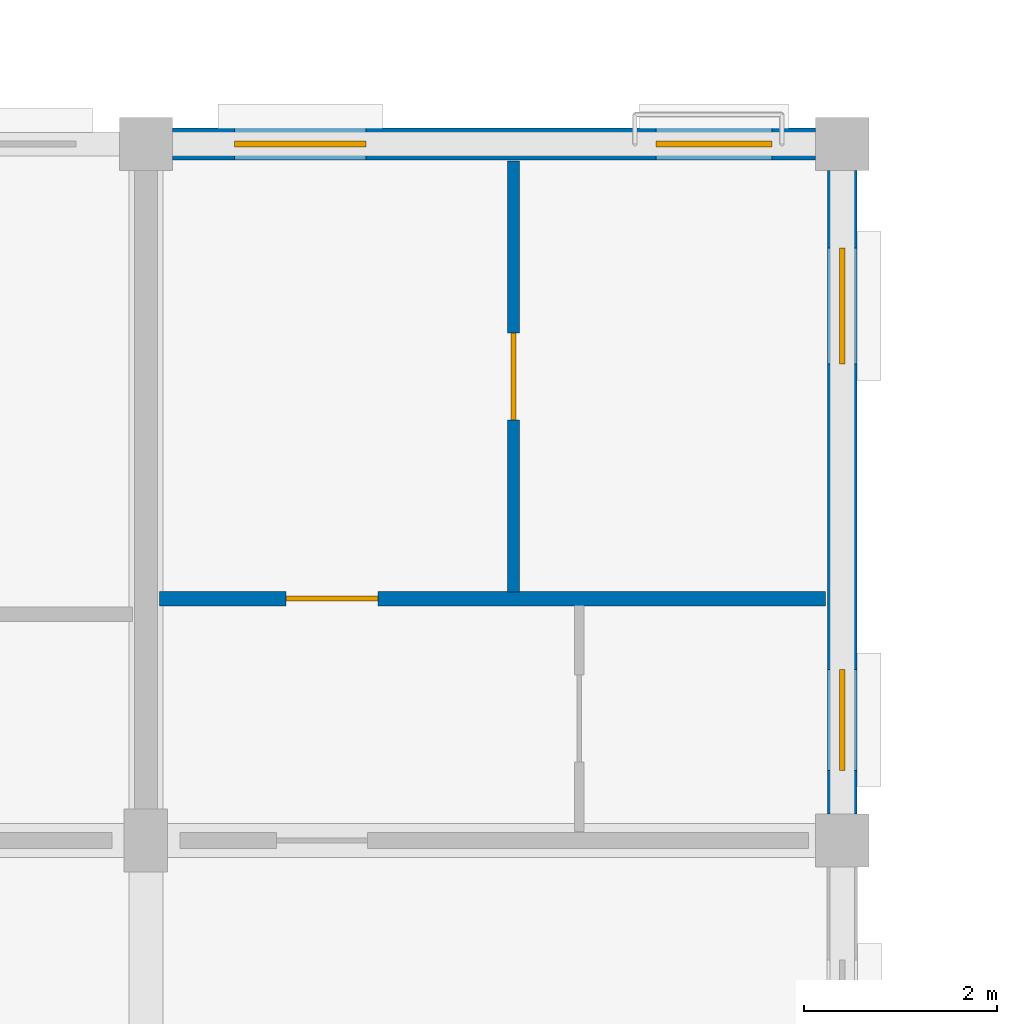
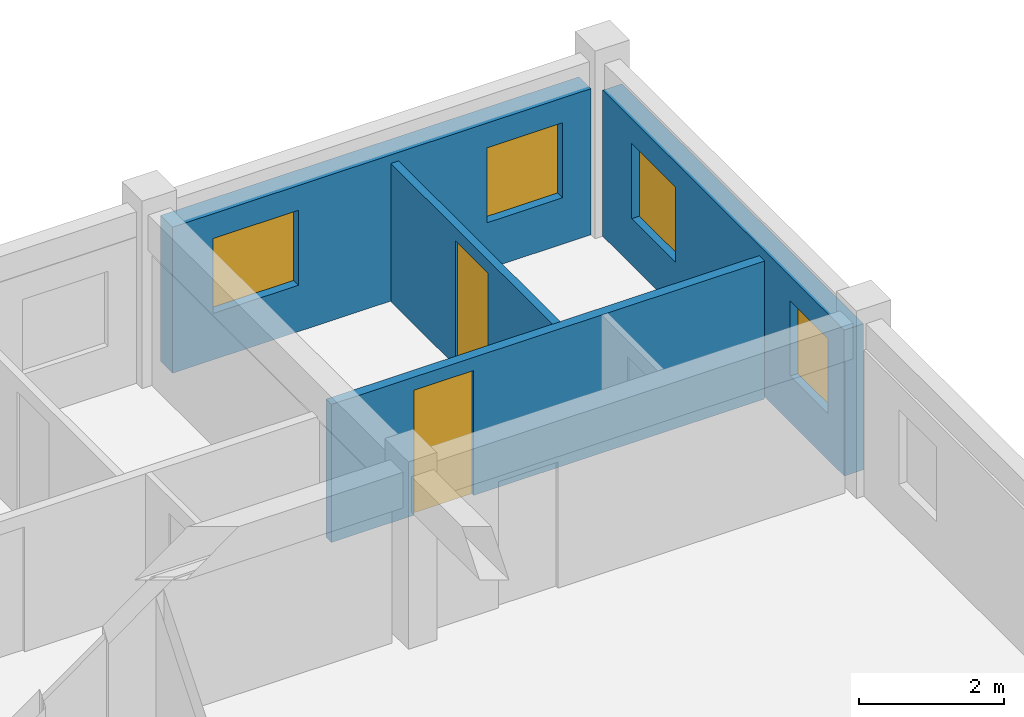
# One storey, part 67 of 75: 4 walls, 4 windows, 2 doors, 6 openings.
"""IFC4 building model written with IfcOpenShell, lengths in metres."""

import ifcopenshell
import ifcopenshell.guid

model = None  # the IFC model being written
_history = None  # IfcOwnerHistory: only IFC2X3 demands one
_inside = {}  # id of a spatial element -> (the spatial element, [elements in it])
_under = {}  # id of a project, library or spatial element -> (it, [spatial elements below it])
_declared = {}  # id of a project -> (the project, [libraries it declares])
_typed = {}  # id of a type object -> (the type object, [elements of that type])
_made_of = {}  # id of a material, layer set ... -> (it, [elements and type objects made of it])


def new_model(schema):
    """Start an empty IFC model of exactly this schema.

    Asked for "IFC4X3", IfcOpenShell would pick the latest addendum, in which some entities
    have other attributes; the version numbers below select the first issue.
    IFC2X3 requires an IfcOwnerHistory on every rooted entity: one is made here for all.
    """
    global model, _history
    if schema == "IFC4X3":
        model = ifcopenshell.file(schema_version=(4, 3, 0, 0))
    else:
        model = ifcopenshell.file(schema=schema)
    _inside.clear()
    _under.clear()
    _declared.clear()
    _typed.clear()
    _made_of.clear()
    _history = None
    if model.schema == "IFC2X3":
        org = make("IfcOrganization", Name="unknown")
        user = make(
            "IfcPersonAndOrganization",
            ThePerson=make("IfcPerson", FamilyName="unknown"),
            TheOrganization=org,
        )
        app = make(
            "IfcApplication",
            ApplicationDeveloper=org,
            Version="unknown",
            ApplicationFullName="unknown",
            ApplicationIdentifier="unknown",
        )
        _history = make(
            "IfcOwnerHistory",
            OwningUser=user,
            OwningApplication=app,
            ChangeAction="ADDED",
            CreationDate=0,
        )
    return model


def make(cls, **values):
    """One entity of the class cls with the attributes given. An attribute that is None is left unset."""
    return model.create_entity(
        cls, **{name: value for name, value in values.items() if value is not None}
    )


def rooted(cls, **values):
    """An entity with a GlobalId (a new one), such as an element, a storey or a relation."""
    return make(cls, GlobalId=ifcopenshell.guid.new(), OwnerHistory=_history, **values)


def si_unit(unit_type, name, prefix=None):
    """IfcSIUnit, for example si_unit("LENGTHUNIT", "METRE", prefix="MILLI")."""
    return make("IfcSIUnit", UnitType=unit_type, Prefix=prefix, Name=name)


def assignment(units):
    """IfcUnitAssignment: the units of a project."""
    return None if units is None else make("IfcUnitAssignment", Units=units)


def point(xyz):
    """IfcCartesianPoint."""
    return None if xyz is None else make("IfcCartesianPoint", Coordinates=xyz)


def direction(xyz):
    """IfcDirection."""
    return None if xyz is None else make("IfcDirection", DirectionRatios=xyz)


def frame(location, z_axis=None, x_axis=None):
    """IfcAxis2Placement3D, a coordinate frame: its origin and axes. An axis left out is left unset."""
    return make(
        "IfcAxis2Placement3D",
        Location=point(location),
        Axis=direction(z_axis),
        RefDirection=direction(x_axis),
    )


def frame_2d(location, x_axis=None):
    """IfcAxis2Placement2D, a coordinate frame in the plane: its origin and x axis."""
    return make(
        "IfcAxis2Placement2D", Location=point(location), RefDirection=direction(x_axis)
    )


def origin():
    """The frame at (0, 0, 0) with its axes left unset."""
    return frame((0.0, 0.0, 0.0))


def place(relative_to, where):
    """IfcLocalPlacement: puts the frame where relative to a parent placement (None: the world)."""
    return make(
        "IfcLocalPlacement", PlacementRelTo=relative_to, RelativePlacement=where
    )


def context(
    kind, dimensions, precision=None, world=None, true_north=None, identifier=None
):
    """IfcGeometricRepresentationContext, for example the 3D "Model" context."""
    return make(
        "IfcGeometricRepresentationContext",
        ContextIdentifier=identifier,
        ContextType=kind,
        CoordinateSpaceDimension=dimensions,
        Precision=precision,
        WorldCoordinateSystem=world,
        TrueNorth=true_north,
    )


def subcontext(parent, identifier, kind, view, scale=None):
    """IfcGeometricRepresentationSubContext, for example "Body" below "Model"."""
    return make(
        "IfcGeometricRepresentationSubContext",
        ContextIdentifier=identifier,
        ContextType=kind,
        ParentContext=parent,
        TargetScale=scale,
        TargetView=view,
    )


def project(units=None, contexts=None):
    """IfcProject with its units and contexts."""
    return rooted(
        "IfcProject",
        Name="project",
        RepresentationContexts=contexts,
        UnitsInContext=assignment(units),
    )


def spatial(cls, under=None, at=None, **own):
    """A site, building, storey or space (cls), placed at a placement, below another one or the project."""
    s = rooted(cls, ObjectPlacement=at, **own)
    if under is not None:
        _under.setdefault(under.id(), (under, []))[1].append(s)
    return s


def profile(cls, at=None, kind="AREA", **sizes):
    """A parametric profile (cls). Its sizes go by their IFC names, for example OverallWidth=200.0."""
    return make(cls, ProfileType=kind, Position=at, **sizes)


def rectangle(**sizes):
    """IfcRectangleProfileDef."""
    return profile("IfcRectangleProfileDef", **sizes)


def extrude(swept, where, along, depth):
    """IfcExtrudedAreaSolid: the profile swept, set in the frame where, extruded along a direction by depth."""
    return make(
        "IfcExtrudedAreaSolid",
        SweptArea=swept,
        Position=where,
        ExtrudedDirection=direction(along),
        Depth=depth,
    )


def shape(context_of_items, identifier, shape_type, items):
    """IfcShapeRepresentation: the items that make up one representation, for example the "Body"."""
    return make(
        "IfcShapeRepresentation",
        ContextOfItems=context_of_items,
        RepresentationIdentifier=identifier,
        RepresentationType=shape_type,
        Items=items,
    )


def material(Name=None, Category=None):
    """IfcMaterial."""
    return make("IfcMaterial", Name=Name, Category=Category)


def layer(
    of_material, thickness, ventilated=None, Name=None, Category=None, Priority=None
):
    """IfcMaterialLayer: one layer of a wall or slab, of a material (None: an air gap)."""
    return make(
        "IfcMaterialLayer",
        Material=of_material,
        LayerThickness=thickness,
        IsVentilated=ventilated,
        Name=Name,
        Category=Category,
        Priority=Priority,
    )


def layer_set(layers, Name=None):
    """IfcMaterialLayerSet."""
    return make("IfcMaterialLayerSet", MaterialLayers=layers, LayerSetName=Name)


def made_of(thing, what):
    """Note that an element or type object is made of a material, layer set ...; save() writes the relation."""
    if what is not None:
        _made_of.setdefault(what.id(), (what, []))[1].append(thing)
    return thing


def type_object(cls, material=None, **own):
    """A type object (cls), such as IfcWallType, which elements share."""
    return made_of(rooted(cls, **own), material)


def element(
    cls,
    number,
    at=None,
    inside=None,
    cuts=None,
    type_object=None,
    material=None,
    context=None,
    identifier="Body",
    shape_type=None,
    held_by="IfcProductDefinitionShape",
    body=None,
    shapes=None,
    **own,
):
    """One element of the class cls, such as IfcWall. Its Tag is "e" and its number.

    at: its placement. inside: the storey or other place that contains it. cuts: it is an
    opening in that element (IfcRelVoidsElement). A single representation is given by context,
    identifier, shape_type and body (its items); several are given by shapes. held_by: the class
    of the entity that holds the representations. save() writes the other relations.
    """
    e = rooted(cls, Tag="e%d" % number, ObjectPlacement=at, **own)
    if body is not None:
        shapes = [shape(context, identifier, shape_type, body)]
    if shapes is not None:
        e.Representation = make(held_by, Representations=shapes)
    if inside is not None:
        _inside.setdefault(inside.id(), (inside, []))[1].append(e)
    if cuts is not None:
        rooted(
            "IfcRelVoidsElement", RelatingBuildingElement=cuts, RelatedOpeningElement=e
        )
    if type_object is not None:
        _typed.setdefault(type_object.id(), (type_object, []))[1].append(e)
    return made_of(e, material)


def fill(opening, filler):
    """IfcRelFillsElement: the door or window that sits in an opening."""
    return rooted(
        "IfcRelFillsElement",
        RelatingOpeningElement=opening,
        RelatedBuildingElement=filler,
    )


def aggregate(whole, parts):
    """IfcRelAggregates: a whole, such as a stair, and the parts it consists of."""
    return rooted("IfcRelAggregates", RelatingObject=whole, RelatedObjects=parts)


def save(model, path):
    """Write the relations noted so far, then the file.

    IfcRelAggregates (storeys below a building ...), IfcRelContainedInSpatialStructure (elements
    in a storey), IfcRelDefinesByType, IfcRelAssociatesMaterial and IfcRelDeclares: one each for
    every whole, place, type object, material and project.
    """
    for whole, parts in _under.values():
        aggregate(whole, parts)
    for where, things in _inside.values():
        rooted(
            "IfcRelContainedInSpatialStructure",
            RelatedElements=things,
            RelatingStructure=where,
        )
    for kind, things in _typed.values():
        rooted("IfcRelDefinesByType", RelatedObjects=things, RelatingType=kind)
    for what, things in _made_of.values():
        rooted("IfcRelAssociatesMaterial", RelatedObjects=things, RelatingMaterial=what)
    for by, libraries in _declared.values():
        rooted("IfcRelDeclares", RelatingContext=by, RelatedDefinitions=libraries)
    model.write(path)


model = new_model("IFC4")

# Units and contexts
model_context = context("Model", 3, precision=1e-05, world=origin(), true_north=direction((0.0, 1.0)))
body_context = subcontext(model_context, "Body", "Model", "MODEL_VIEW")
ifc_project = project(units=[si_unit("LENGTHUNIT", "METRE"), si_unit("AREAUNIT", "SQUARE_METRE"), si_unit("VOLUMEUNIT", "CUBIC_METRE"), si_unit("PLANEANGLEUNIT", "RADIAN"), si_unit("MASSUNIT", "GRAM", prefix="KILO"), si_unit("THERMODYNAMICTEMPERATUREUNIT", "KELVIN"), si_unit("POWERUNIT", "WATT")], contexts=[model_context])

# Site, building, storey
site_placement = place(None, origin())
site = spatial("IfcSite", under=ifc_project, at=site_placement, CompositionType="ELEMENT")
building_placement = place(site_placement, origin())
building = spatial("IfcBuilding", under=site, at=building_placement, Name="Tavuni Mirador Residences", CompositionType="ELEMENT")
storey_placement = place(building_placement, frame((0.0, 0.0, 20.25)))
storey = spatial("IfcBuildingStorey", under=building, at=storey_placement, Name="L06", CompositionType="ELEMENT", Elevation=20.25)

# Wall, openings, windows
ifc_material_1 = material(Name="Precast concrete C40/50", Category="concrete")
ifc_layer_1 = layer(ifc_material_1, 0.330078125, Name="Precast concrete C40/50", Category="concrete")
ifc_layer_set_1 = layer_set([ifc_layer_1], Name="Precast concrete C40/50")
wall_type_1 = type_object("IfcWallType", Name="WT-EXT-COR330", PredefinedType="SOLIDWALL", material=ifc_layer_set_1)
wall_1_placement = place(storey_placement, frame((75.324951171875, 172.800048828125, 0.0), z_axis=(0.0, 0.0, 1.0), x_axis=(-1.0, 0.0, 0.0)))
wall_1 = element("IfcWall", 1, at=wall_1_placement, inside=storey, type_object=wall_type_1, Name="EW-BLK-C-L06-N08", PredefinedType="SOLIDWALL", context=body_context, shape_type="SweptSolid", body=[
    extrude(rectangle(XDim=6.64990234375, YDim=0.330078125, at=frame_2d((3.324951171875, 0.0))), origin(), (0.0, 0.0, 1.0), 2.455078125),
])
opening_1_placement = place(wall_1_placement, frame((0.449951171875, 0.0, 0.780029296875)))
opening_1 = element("IfcOpeningElement", 2, at=opening_1_placement, cuts=wall_1, Name="Opening WN-13", PredefinedType="OPENING", context=body_context, shape_type="SweptSolid", body=[
    extrude(rectangle(XDim=1.199951171875, YDim=1.260009765625, at=frame_2d((0.60009765625, 0.6298828125))), frame((0.0, 0.175048828125, 0.0), z_axis=(0.0, -1.0, 0.0), x_axis=(1.0, 0.0, 0.0)), (0.0, 0.0, 1.0), 0.35009765625),
])
opening_2_placement = place(wall_1_placement, frame((4.64990234375, 0.0, 0.780029296875)))
opening_2 = element("IfcOpeningElement", 3, at=opening_2_placement, cuts=wall_1, Name="Opening WN-15", PredefinedType="OPENING", context=body_context, shape_type="SweptSolid", body=[
    extrude(rectangle(XDim=1.360107421875, YDim=1.260009765625, at=frame_2d((0.68017578125, 0.6298828125))), frame((0.0, 0.175048828125, 0.0), z_axis=(0.0, -1.0, 0.0), x_axis=(1.0, 0.0, 0.0)), (0.0, 0.0, 1.0), 0.35009765625),
])
ifc_material_2 = material(Name="Laminated solar-control glass", Category="glass")
window_type_1 = type_object("IfcWindowType", Name="WNT-13", PartitioningType="SINGLE_PANEL", PredefinedType="WINDOW", material=ifc_material_2)
window_1_placement = place(opening_1_placement, origin())
window_1 = element("IfcWindow", 4, at=window_1_placement, inside=storey, type_object=window_type_1, Name="WIN-1116", OverallHeight=1.260009765625, OverallWidth=1.199951171875, PartitioningType="SINGLE_PANEL", PredefinedType="WINDOW", context=body_context, shape_type="SweptSolid", body=[
    extrude(rectangle(XDim=1.199951171875, YDim=1.260009765625, at=frame_2d((0.60009765625, 0.6298828125))), frame((0.0, 0.030029296875, 0.0), z_axis=(0.0, -1.0, 0.0), x_axis=(1.0, 0.0, 0.0)), (0.0, 0.0, 1.0), 0.06005859375),
])
fill(opening_1, window_1)
window_type_2 = type_object("IfcWindowType", Name="WNT-15", PartitioningType="SINGLE_PANEL", PredefinedType="WINDOW", material=ifc_material_2)
window_2_placement = place(opening_2_placement, origin())
window_2 = element("IfcWindow", 5, at=window_2_placement, inside=storey, type_object=window_type_2, Name="WIN-1117", OverallHeight=1.260009765625, OverallWidth=1.360107421875, PartitioningType="SINGLE_PANEL", PredefinedType="WINDOW", context=body_context, shape_type="SweptSolid", body=[
    extrude(rectangle(XDim=1.360107421875, YDim=1.260009765625, at=frame_2d((0.68017578125, 0.6298828125))), frame((0.0, 0.030029296875, 0.0), z_axis=(0.0, -1.0, 0.0), x_axis=(1.0, 0.0, 0.0)), (0.0, 0.0, 1.0), 0.06005859375),
])
fill(opening_2, window_2)

ifc_material_3 = material(Name="Sgraffito lime-rendered precast concrete C40/50", Category="concrete")
ifc_layer_2 = layer(ifc_material_3, 0.304931640625, Name="Sgraffito lime-rendered precast concrete C40/50", Category="concrete")
ifc_layer_set_2 = layer_set([ifc_layer_2], Name="Sgraffito lime-rendered precast concrete C40/50")
wall_type_2 = type_object("IfcWallType", Name="WT-EXT-PC305", PredefinedType="SOLIDWALL", material=ifc_layer_set_2)
wall_2_placement = place(storey_placement, frame((75.60009765625, 165.875, 0.0), z_axis=(0.0, 0.0, 1.0), x_axis=(0.0, 1.0, 0.0)))
wall_2 = element("IfcWall", 6, at=wall_2_placement, inside=storey, type_object=wall_type_2, Name="EW-BLK-C-L06-E03", PredefinedType="SOLIDWALL", context=body_context, shape_type="SweptSolid", body=[
    extrude(rectangle(XDim=6.64990234375, YDim=0.304931640625, at=frame_2d((3.324951171875, 0.0))), origin(), (0.0, 0.0, 1.0), 2.455078125),
])
opening_3_placement = place(wall_2_placement, frame((0.449951171875, 0.0, 0.780029296875)))
opening_3 = element("IfcOpeningElement", 7, at=opening_3_placement, cuts=wall_2, Name="Opening WN-11", PredefinedType="OPENING", context=body_context, shape_type="SweptSolid", body=[
    extrude(rectangle(XDim=1.0400390625, YDim=1.260009765625, at=frame_2d((0.52001953125, 0.6298828125))), frame((0.0, 0.16259765625, 0.0), z_axis=(0.0, -1.0, 0.0), x_axis=(1.0, 0.0, 0.0)), (0.0, 0.0, 1.0), 0.324951171875),
])
opening_4_placement = place(wall_2_placement, frame((4.64990234375, 0.0, 0.780029296875)))
opening_4 = element("IfcOpeningElement", 8, at=opening_4_placement, cuts=wall_2, Name="Opening WN-13", PredefinedType="OPENING", context=body_context, shape_type="SweptSolid", body=[
    extrude(rectangle(XDim=1.199951171875, YDim=1.260009765625, at=frame_2d((0.60009765625, 0.6298828125))), frame((0.0, 0.16259765625, 0.0), z_axis=(0.0, -1.0, 0.0), x_axis=(1.0, 0.0, 0.0)), (0.0, 0.0, 1.0), 0.324951171875),
])
window_type_3 = type_object("IfcWindowType", Name="WNT-11", PartitioningType="SINGLE_PANEL", PredefinedType="WINDOW", material=ifc_material_2)
window_3_placement = place(opening_3_placement, origin())
window_3 = element("IfcWindow", 9, at=window_3_placement, inside=storey, type_object=window_type_3, Name="WIN-1114", OverallHeight=1.260009765625, OverallWidth=1.0400390625, PartitioningType="SINGLE_PANEL", PredefinedType="WINDOW", context=body_context, shape_type="SweptSolid", body=[
    extrude(rectangle(XDim=1.0400390625, YDim=1.260009765625, at=frame_2d((0.52001953125, 0.6298828125))), frame((0.0, 0.030029296875, 0.0), z_axis=(0.0, -1.0, 0.0), x_axis=(1.0, 0.0, 0.0)), (0.0, 0.0, 1.0), 0.06005859375),
])
fill(opening_3, window_3)
window_4_placement = place(opening_4_placement, origin())
window_4 = element("IfcWindow", 10, at=window_4_placement, inside=storey, type_object=window_type_1, Name="WIN-1115", OverallHeight=1.260009765625, OverallWidth=1.199951171875, PartitioningType="SINGLE_PANEL", PredefinedType="WINDOW", context=body_context, shape_type="SweptSolid", body=[
    extrude(rectangle(XDim=1.199951171875, YDim=1.260009765625, at=frame_2d((0.60009765625, 0.6298828125))), frame((0.0, 0.030029296875, 0.0), z_axis=(0.0, -1.0, 0.0), x_axis=(1.0, 0.0, 0.0)), (0.0, 0.0, 1.0), 0.06005859375),
])
fill(opening_4, window_4)

# Wall, opening, door
ifc_material_4 = material(Name="Acoustic gypsum and concrete block partition", Category="concrete")
ifc_layer_3 = layer(ifc_material_4, 0.125, Name="Acoustic gypsum and concrete block partition", Category="concrete")
ifc_layer_set_3 = layer_set([ifc_layer_3], Name="Acoustic gypsum and concrete block partition")
wall_type_3 = type_object("IfcWallType", Name="WT-PART125", PredefinedType="PARTITIONING", material=ifc_layer_set_3)
wall_3_placement = place(storey_placement, frame((72.199951171875, 168.169921875, 0.0), z_axis=(0.0, 0.0, 1.0), x_axis=(0.0, 1.0, 0.0)))
wall_3 = element("IfcWall", 11, at=wall_3_placement, inside=storey, type_object=wall_type_3, Name="PW-BLK-C-L06-N08-OUT", PredefinedType="PARTITIONING", context=body_context, shape_type="SweptSolid", body=[
    extrude(rectangle(XDim=4.455078125, YDim=0.125, at=frame_2d((2.2275390625, 0.0))), origin(), (0.0, 0.0, 1.0), 2.320068359375),
])
opening_5_placement = place(wall_3_placement, frame((1.777587890625, 0.0, 0.0)))
opening_5 = element("IfcOpeningElement", 12, at=opening_5_placement, cuts=wall_3, Name="Opening D-07", PredefinedType="OPENING", context=body_context, shape_type="SweptSolid", body=[
    extrude(rectangle(XDim=0.89990234375, YDim=2.10009765625, at=frame_2d((0.449951171875, 1.050048828125))), frame((0.0, 0.072509765625, 0.0), z_axis=(0.0, -1.0, 0.0), x_axis=(1.0, 0.0, 0.0)), (0.0, 0.0, 1.0), 0.14501953125),
])
ifc_material_5 = material(Name="Solid core iroko timber", Category="wood")
door_type_1 = type_object("IfcDoorType", Name="DT-BED900", OperationType="NOTDEFINED", PredefinedType="DOOR", material=ifc_material_5)
door_1_placement = place(opening_5_placement, origin())
door_1 = element("IfcDoor", 13, at=door_1_placement, inside=storey, type_object=door_type_1, Name="DR-4014", OperationType="SINGLE_SWING_RIGHT", OverallHeight=2.10009765625, OverallWidth=0.89990234375, PredefinedType="DOOR", context=body_context, shape_type="SweptSolid", body=[
    extrude(rectangle(XDim=0.89990234375, YDim=2.10009765625, at=frame_2d((0.449951171875, 1.050048828125))), frame((0.0, 0.02490234375, 0.0), z_axis=(0.0, -1.0, 0.0), x_axis=(1.0, 0.0, 0.0)), (0.0, 0.0, 1.0), 0.050048828125),
])
fill(opening_5, door_1)

ifc_layer_4 = layer(ifc_material_4, 0.14990234375, Name="Acoustic gypsum and concrete block partition", Category="concrete")
ifc_layer_set_4 = layer_set([ifc_layer_4], Name="Acoustic gypsum and concrete block partition")
wall_type_4 = type_object("IfcWallType", Name="WT-PART150", PredefinedType="PARTITIONING", material=ifc_layer_set_4)
wall_4_placement = place(storey_placement, frame((68.5400390625, 168.10009765625, 0.0), z_axis=(0.0, 0.0, 1.0), x_axis=(1.0, 0.0, 0.0)))
wall_4 = element("IfcWall", 14, at=wall_4_placement, inside=storey, type_object=wall_type_4, Name="PW-BLK-C-L06-N08-MID", PredefinedType="PARTITIONING", context=body_context, shape_type="SweptSolid", body=[
    extrude(rectangle(XDim=6.885009765625, YDim=0.14990234375, at=frame_2d((3.4423828125, 0.0))), origin(), (0.0, 0.0, 1.0), 2.320068359375),
])
opening_6_placement = place(wall_4_placement, frame((1.31005859375, 0.0, 0.0)))
opening_6 = element("IfcOpeningElement", 15, at=opening_6_placement, cuts=wall_4, Name="Opening D-05", PredefinedType="OPENING", context=body_context, shape_type="SweptSolid", body=[
    extrude(rectangle(XDim=0.949951171875, YDim=2.10009765625, at=frame_2d((0.47509765625, 1.050048828125))), frame((0.0, 0.0849609375, 0.0), z_axis=(0.0, -1.0, 0.0), x_axis=(1.0, 0.0, 0.0)), (0.0, 0.0, 1.0), 0.169921875),
])
door_type_2 = type_object("IfcDoorType", Name="DT-INT950", OperationType="NOTDEFINED", PredefinedType="DOOR", material=ifc_material_5)
door_2_placement = place(opening_6_placement, origin())
door_2 = element("IfcDoor", 16, at=door_2_placement, inside=storey, type_object=door_type_2, Name="DR-4016", OperationType="SINGLE_SWING_LEFT", OverallHeight=2.10009765625, OverallWidth=0.949951171875, PredefinedType="DOOR", context=body_context, shape_type="SweptSolid", body=[
    extrude(rectangle(XDim=0.949951171875, YDim=2.10009765625, at=frame_2d((0.47509765625, 1.050048828125))), frame((0.0, 0.02490234375, 0.0), z_axis=(0.0, -1.0, 0.0), x_axis=(1.0, 0.0, 0.0)), (0.0, 0.0, 1.0), 0.050048828125),
])
fill(opening_6, door_2)

save(model, "model.ifc")
